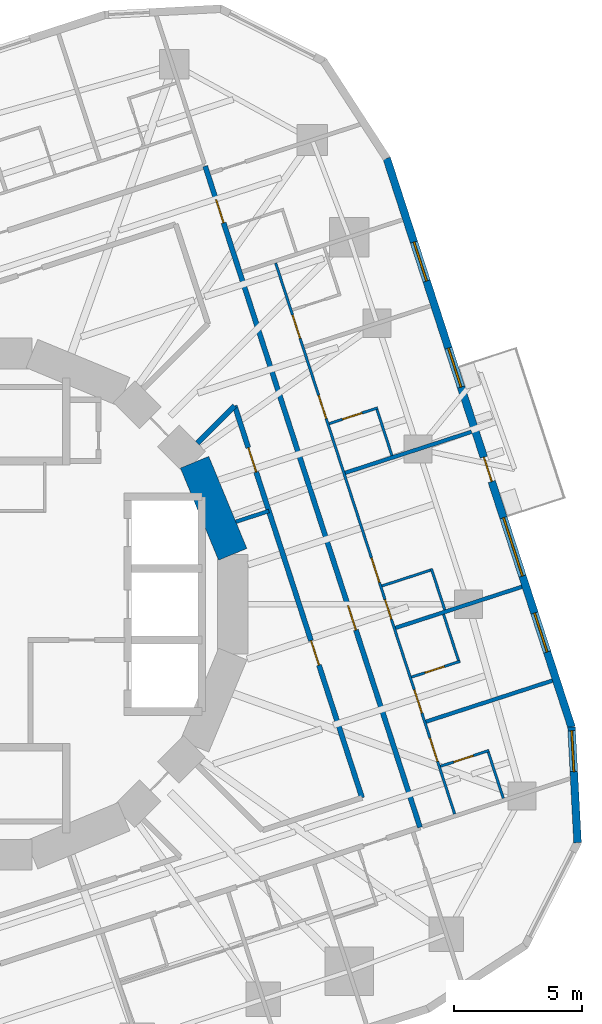
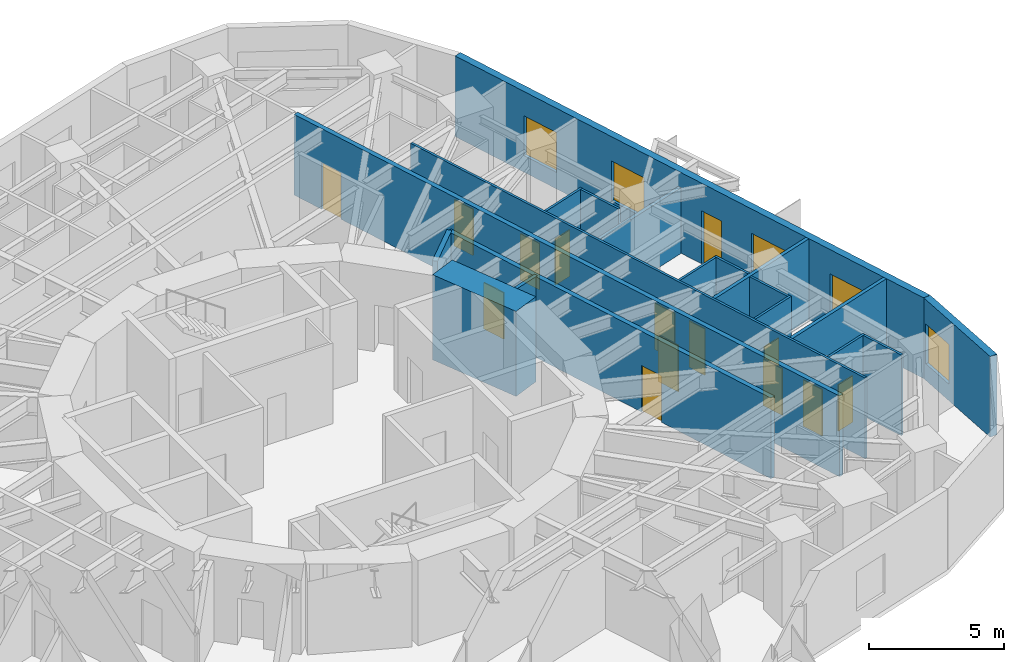
# One storey, part 8 of 13: 19 walls, 14 doors, 5 windows, 19 openings.
"""IFC4 building model written with IfcOpenShell, lengths in metres."""

from ifc_helpers import new_model, si_unit, direction, frame, frame_2d, origin, place, context, subcontext, project, spatial, rectangle, extrude, material, layer, layer_set, type_object, element, fill, save


model = new_model("IFC4")

# Units and contexts
model_context = context("Model", 3, precision=1e-05, world=origin(), true_north=direction((0.0, 1.0)))
body_context = subcontext(model_context, "Body", "Model", "MODEL_VIEW")
ifc_project = project(units=[si_unit("LENGTHUNIT", "METRE"), si_unit("AREAUNIT", "SQUARE_METRE"), si_unit("VOLUMEUNIT", "CUBIC_METRE"), si_unit("PLANEANGLEUNIT", "RADIAN"), si_unit("MASSUNIT", "GRAM", prefix="KILO")], contexts=[model_context])

# Site, building, storey
site_placement = place(None, origin())
site = spatial("IfcSite", under=ifc_project, at=site_placement, CompositionType="ELEMENT")
building_placement = place(site_placement, origin())
building = spatial("IfcBuilding", under=site, at=building_placement, Name="Nakasero Lantern House", CompositionType="ELEMENT")
storey_placement = place(building_placement, frame((0.0, 0.0, 164.89990234375)))
storey = spatial("IfcBuildingStorey", under=building, at=storey_placement, Name="L40", CompositionType="ELEMENT", Elevation=164.89990234375)

# Wall, openings, doors
ifc_material_1 = material(Name="Blockwork", Category="masonry")
ifc_layer_1 = layer(ifc_material_1, 0.10009765625)
ifc_layer_set_1 = layer_set([ifc_layer_1], Name="Cluster hall wall 100")
wall_type_1 = type_object("IfcWallType", Name="Cluster hall wall 100", PredefinedType="PARTITIONING", material=ifc_layer_set_1)
wall_1_placement = place(storey_placement, frame((18.492919921875, -8.21240234375, 0.0), z_axis=(0.0, 0.0, 1.0), x_axis=(-0.309014729931, 0.951057252055, 0.0)))
wall_1 = element("IfcWall", 1, at=wall_1_placement, inside=storey, type_object=wall_type_1, Name="Cluster hall wall L40 HW0-0", PredefinedType="PARTITIONING", context=body_context, shape_type="SweptSolid", body=[
    extrude(rectangle(XDim=22.67236328125, YDim=0.10009765625, at=frame_2d((11.336181640625, 0.0))), origin(), (0.0, 0.0, 1.0), 3.650146484375),
])
opening_1_placement = place(wall_1_placement, frame((9.532958984375, 0.0, 0.0)))
opening_1 = element("IfcOpeningElement", 2, at=opening_1_placement, cuts=wall_1, Name="Opening D03", PredefinedType="OPENING", context=body_context, shape_type="SweptSolid", body=[
    extrude(rectangle(XDim=1.0, YDim=2.10009765625, at=frame_2d((0.5, 1.050048828125))), frame((0.0, 0.070068359375, 0.0), z_axis=(0.0, -1.0, 0.0), x_axis=(1.0, 0.0, 0.0)), (0.0, 0.0, 1.0), 0.14013671875),
])
opening_2_placement = place(wall_1_placement, frame((8.01904296875, 0.0, 0.0)))
opening_2 = element("IfcOpeningElement", 3, at=opening_2_placement, cuts=wall_1, Name="Opening D02", PredefinedType="OPENING", context=body_context, shape_type="SweptSolid", body=[
    extrude(rectangle(XDim=0.800048828125, YDim=2.10009765625, at=frame_2d((0.39990234375, 1.050048828125))), frame((0.0, 0.070068359375, 0.0), z_axis=(0.0, -1.0, 0.0), x_axis=(1.0, 0.0, 0.0)), (0.0, 0.0, 1.0), 0.14013671875),
])
opening_3_placement = place(wall_1_placement, frame((2.175048828125, 0.0, 0.0)))
opening_3 = element("IfcOpeningElement", 4, at=opening_3_placement, cuts=wall_1, Name="Opening D01", PredefinedType="OPENING", context=body_context, shape_type="SweptSolid", body=[
    extrude(rectangle(XDim=0.949951171875, YDim=2.10009765625, at=frame_2d((0.47509765625, 1.050048828125))), frame((0.0, 0.070068359375, 0.0), z_axis=(0.0, -1.0, 0.0), x_axis=(1.0, 0.0, 0.0)), (0.0, 0.0, 1.0), 0.14013671875),
])
opening_4_placement = place(wall_1_placement, frame((4.159423828125, 0.0, 0.0)))
opening_4 = element("IfcOpeningElement", 5, at=opening_4_placement, cuts=wall_1, Name="Opening D01", PredefinedType="OPENING", context=body_context, shape_type="SweptSolid", body=[
    extrude(rectangle(XDim=0.949951171875, YDim=2.10009765625, at=frame_2d((0.47509765625, 1.050048828125))), frame((0.0, 0.070068359375, 0.0), z_axis=(0.0, -1.0, 0.0), x_axis=(1.0, 0.0, 0.0)), (0.0, 0.0, 1.0), 0.14013671875),
])
opening_5_placement = place(wall_1_placement, frame((16.27197265625, 0.0, 0.0)))
opening_5 = element("IfcOpeningElement", 6, at=opening_5_placement, cuts=wall_1, Name="Opening D01", PredefinedType="OPENING", context=body_context, shape_type="SweptSolid", body=[
    extrude(rectangle(XDim=0.949951171875, YDim=2.10009765625, at=frame_2d((0.47509765625, 1.050048828125))), frame((0.0, 0.070068359375, 0.0), z_axis=(0.0, -1.0, 0.0), x_axis=(1.0, 0.0, 0.0)), (0.0, 0.0, 1.0), 0.14013671875),
])
opening_6_placement = place(wall_1_placement, frame((19.578125, 0.0, 0.0)))
opening_6 = element("IfcOpeningElement", 7, at=opening_6_placement, cuts=wall_1, Name="Opening D01", PredefinedType="OPENING", context=body_context, shape_type="SweptSolid", body=[
    extrude(rectangle(XDim=0.949951171875, YDim=2.10009765625, at=frame_2d((0.47509765625, 1.050048828125))), frame((0.0, 0.070068359375, 0.0), z_axis=(0.0, -1.0, 0.0), x_axis=(1.0, 0.0, 0.0)), (0.0, 0.0, 1.0), 0.14013671875),
])
ifc_material_2 = material(Name="Timber C24", Category="wood")
door_type_1 = type_object("IfcDoorType", Name="Bedroom door FD30S 950", OperationType="SINGLE_SWING_LEFT", PredefinedType="DOOR", material=ifc_material_2)
door_1_placement = place(opening_3_placement, origin())
door_1 = element("IfcDoor", 8, at=door_1_placement, inside=storey, type_object=door_type_1, Name="Door L40 D0-00", OperationType="SINGLE_SWING_LEFT", OverallHeight=2.10009765625, OverallWidth=0.949951171875, PredefinedType="DOOR", context=body_context, shape_type="SweptSolid", body=[
    extrude(rectangle(XDim=0.949951171875, YDim=2.10009765625, at=frame_2d((0.47509765625, 1.050048828125))), frame((0.0, 0.02490234375, 0.0), z_axis=(0.0, -1.0, 0.0), x_axis=(1.0, 0.0, 0.0)), (0.0, 0.0, 1.0), 0.050048828125),
])
fill(opening_3, door_1)
door_2_placement = place(opening_4_placement, origin())
door_2 = element("IfcDoor", 9, at=door_2_placement, inside=storey, type_object=door_type_1, Name="Door L40 D0-01", OperationType="SINGLE_SWING_LEFT", OverallHeight=2.10009765625, OverallWidth=0.949951171875, PredefinedType="DOOR", context=body_context, shape_type="SweptSolid", body=[
    extrude(rectangle(XDim=0.949951171875, YDim=2.10009765625, at=frame_2d((0.47509765625, 1.050048828125))), frame((0.0, 0.02490234375, 0.0), z_axis=(0.0, -1.0, 0.0), x_axis=(1.0, 0.0, 0.0)), (0.0, 0.0, 1.0), 0.050048828125),
])
fill(opening_4, door_2)
door_3_placement = place(opening_5_placement, origin())
door_3 = element("IfcDoor", 10, at=door_3_placement, inside=storey, type_object=door_type_1, Name="Door L40 D0-04", OperationType="SINGLE_SWING_RIGHT", OverallHeight=2.10009765625, OverallWidth=0.949951171875, PredefinedType="DOOR", context=body_context, shape_type="SweptSolid", body=[
    extrude(rectangle(XDim=0.949951171875, YDim=2.10009765625, at=frame_2d((0.47509765625, 1.050048828125))), frame((0.0, 0.02490234375, 0.0), z_axis=(0.0, -1.0, 0.0), x_axis=(1.0, 0.0, 0.0)), (0.0, 0.0, 1.0), 0.050048828125),
])
fill(opening_5, door_3)
door_4_placement = place(opening_6_placement, origin())
door_4 = element("IfcDoor", 11, at=door_4_placement, inside=storey, type_object=door_type_1, Name="Door L40 D0-05", OperationType="SINGLE_SWING_RIGHT", OverallHeight=2.10009765625, OverallWidth=0.949951171875, PredefinedType="DOOR", context=body_context, shape_type="SweptSolid", body=[
    extrude(rectangle(XDim=0.949951171875, YDim=2.10009765625, at=frame_2d((0.47509765625, 1.050048828125))), frame((0.0, 0.02490234375, 0.0), z_axis=(0.0, -1.0, 0.0), x_axis=(1.0, 0.0, 0.0)), (0.0, 0.0, 1.0), 0.050048828125),
])
fill(opening_6, door_4)
ifc_material_3 = material(Name="Timber C24", Category="wood")
door_type_2 = type_object("IfcDoorType", Name="En-suite door 800", OperationType="SINGLE_SWING_RIGHT", PredefinedType="DOOR", material=ifc_material_3)
door_5_placement = place(opening_2_placement, origin())
door_5 = element("IfcDoor", 12, at=door_5_placement, inside=storey, type_object=door_type_2, Name="Door L40 DSH0-0", OperationType="SINGLE_SWING_LEFT", OverallHeight=2.10009765625, OverallWidth=0.800048828125, PredefinedType="DOOR", context=body_context, shape_type="SweptSolid", body=[
    extrude(rectangle(XDim=0.800048828125, YDim=2.10009765625, at=frame_2d((0.39990234375, 1.050048828125))), frame((0.0, 0.02490234375, 0.0), z_axis=(0.0, -1.0, 0.0), x_axis=(1.0, 0.0, 0.0)), (0.0, 0.0, 1.0), 0.050048828125),
])
fill(opening_2, door_5)
ifc_material_4 = material(Name="Timber C24", Category="wood")
door_type_3 = type_object("IfcDoorType", Name="Lounge door FD30S 1000", OperationType="SINGLE_SWING_LEFT", PredefinedType="DOOR", material=ifc_material_4)
door_6_placement = place(opening_1_placement, origin())
door_6 = element("IfcDoor", 13, at=door_6_placement, inside=storey, type_object=door_type_3, Name="Door L40 DH0-0", OperationType="SINGLE_SWING_LEFT", OverallHeight=2.10009765625, OverallWidth=1.0, PredefinedType="DOOR", context=body_context, shape_type="SweptSolid", body=[
    extrude(rectangle(XDim=1.0, YDim=2.10009765625, at=frame_2d((0.5, 1.050048828125))), frame((0.0, 0.02490234375, 0.0), z_axis=(0.0, -1.0, 0.0), x_axis=(1.0, 0.0, 0.0)), (0.0, 0.0, 1.0), 0.050048828125),
])
fill(opening_1, door_6)

# Wall
ifc_material_5 = material(Name="Concrete C50/60", Category="concrete")
ifc_layer_2 = layer(ifc_material_5, 1.199951171875)
ifc_layer_set_2 = layer_set([ifc_layer_2], Name="Core wall 1200")
wall_type_2 = type_object("IfcWallType", Name="Core wall 1200", PredefinedType="SHEAR", material=ifc_layer_set_2)
wall_2_placement = place(storey_placement, frame((9.807861328125, 1.950927734375, 0.0), z_axis=(0.0, 0.0, 1.0), x_axis=(-0.382690736062, 0.923876507187, 0.0)))
element("IfcWall", 14, at=wall_2_placement, inside=storey, type_object=wall_type_2, Name="Core wall L40 facet 1", PredefinedType="SHEAR", context=body_context, shape_type="SweptSolid", body=[
    extrude(rectangle(XDim=3.90185546875, YDim=1.199951171875, at=frame_2d((1.950927734375, 0.0))), origin(), (0.0, 0.0, 1.0), 3.85009765625),
])

# Wall, openings, doors
ifc_material_6 = material(Name="Blockwork", Category="masonry")
ifc_layer_3 = layer(ifc_material_6, 0.199951171875)
ifc_layer_set_3 = layer_set([ifc_layer_3], Name="Corridor wall 200")
wall_type_3 = type_object("IfcWallType", Name="Corridor wall 200", PredefinedType="PARTITIONING", material=ifc_layer_set_3)
wall_3_placement = place(storey_placement, frame((17.136962890625, -8.731689453125, 0.0), z_axis=(0.0, 0.0, 1.0), x_axis=(-0.309018283835, 0.951056097323, 0.0)))
wall_3 = element("IfcWall", 15, at=wall_3_placement, inside=storey, type_object=wall_type_3, Name="Corridor wall L40 CW0", PredefinedType="PARTITIONING", context=body_context, shape_type="SweptSolid", body=[
    extrude(rectangle(XDim=27.199951171875, YDim=0.199951171875, at=frame_2d((13.60009765625, 0.0))), origin(), (0.0, 0.0, 1.0), 3.650146484375),
])
opening_7_placement = place(wall_3_placement, frame((8.118896484375, 0.0, 0.0)))
opening_7 = element("IfcOpeningElement", 16, at=opening_7_placement, cuts=wall_3, Name="Opening D14", PredefinedType="OPENING", context=body_context, shape_type="SweptSolid", body=[
    extrude(rectangle(XDim=1.0, YDim=2.10009765625, at=frame_2d((0.5, 1.050048828125))), frame((0.0, 0.119873046875, 0.0), z_axis=(0.0, -1.0, 0.0), x_axis=(1.0, 0.0, 0.0)), (0.0, 0.0, 1.0), 0.239990234375),
])
opening_8_placement = place(wall_3_placement, frame((24.872314453125, 0.0, 0.0)))
opening_8 = element("IfcOpeningElement", 17, at=opening_8_placement, cuts=wall_3, Name="Opening D01", PredefinedType="OPENING", context=body_context, shape_type="SweptSolid", body=[
    extrude(rectangle(XDim=0.949951171875, YDim=2.10009765625, at=frame_2d((0.47509765625, 1.050048828125))), frame((0.0, 0.119873046875, 0.0), z_axis=(0.0, -1.0, 0.0), x_axis=(1.0, 0.0, 0.0)), (0.0, 0.0, 1.0), 0.239990234375),
])
door_7_placement = place(opening_8_placement, origin())
door_7 = element("IfcDoor", 18, at=door_7_placement, inside=storey, type_object=door_type_1, Name="Door L40 D0-06", OperationType="SINGLE_SWING_RIGHT", OverallHeight=2.10009765625, OverallWidth=0.949951171875, PredefinedType="DOOR", context=body_context, shape_type="SweptSolid", body=[
    extrude(rectangle(XDim=0.949951171875, YDim=2.10009765625, at=frame_2d((0.47509765625, 1.050048828125))), frame((0.0, 0.02490234375, 0.0), z_axis=(0.0, -1.0, 0.0), x_axis=(1.0, 0.0, 0.0)), (0.0, 0.0, 1.0), 0.050048828125),
])
fill(opening_8, door_7)
ifc_material_7 = material(Name="Timber C24", Category="wood")
door_type_4 = type_object("IfcDoorType", Name="Cluster entrance door FD30S 1000", OperationType="SINGLE_SWING_LEFT", PredefinedType="DOOR", material=ifc_material_7)
door_8_placement = place(opening_7_placement, origin())
door_8 = element("IfcDoor", 19, at=door_8_placement, inside=storey, type_object=door_type_4, Name="Door L40 DF0-0", OperationType="SINGLE_SWING_LEFT", OverallHeight=2.10009765625, OverallWidth=1.0, PredefinedType="DOOR", context=body_context, shape_type="SweptSolid", body=[
    extrude(rectangle(XDim=1.0, YDim=2.10009765625, at=frame_2d((0.5, 1.050048828125))), frame((0.0, 0.02490234375, 0.0), z_axis=(0.0, -1.0, 0.0), x_axis=(1.0, 0.0, 0.0)), (0.0, 0.0, 1.0), 0.050048828125),
])
fill(opening_7, door_8)

wall_4_placement = place(storey_placement, frame((14.868896484375, -7.576171875, 0.0), z_axis=(0.0, 0.0, 1.0), x_axis=(-0.309016591385, 0.951056647235, 0.0)))
wall_4 = element("IfcWall", 20, at=wall_4_placement, inside=storey, type_object=wall_type_3, Name="Corridor wall L40 IW0-0", PredefinedType="PARTITIONING", context=body_context, shape_type="SweptSolid", body=[
    extrude(rectangle(XDim=16.12890625, YDim=0.199951171875, at=frame_2d((8.064453125, 0.0))), origin(), (0.0, 0.0, 1.0), 3.650146484375),
])
opening_9_placement = place(wall_4_placement, frame((5.46240234375, 0.0, 0.0)))
opening_9 = element("IfcOpeningElement", 21, at=opening_9_placement, cuts=wall_4, Name="Opening D07", PredefinedType="OPENING", context=body_context, shape_type="SweptSolid", body=[
    extrude(rectangle(XDim=1.0, YDim=2.10009765625, at=frame_2d((0.5, 1.050048828125))), frame((0.0, 0.119873046875, 0.0), z_axis=(0.0, -1.0, 0.0), x_axis=(1.0, 0.0, 0.0)), (0.0, 0.0, 1.0), 0.239990234375),
])
opening_10_placement = place(wall_4_placement, frame((13.40185546875, 0.0, 0.0)))
opening_10 = element("IfcOpeningElement", 22, at=opening_10_placement, cuts=wall_4, Name="Opening D07", PredefinedType="OPENING", context=body_context, shape_type="SweptSolid", body=[
    extrude(rectangle(XDim=1.0, YDim=2.10009765625, at=frame_2d((0.5, 1.050048828125))), frame((0.0, 0.119873046875, 0.0), z_axis=(0.0, -1.0, 0.0), x_axis=(1.0, 0.0, 0.0)), (0.0, 0.0, 1.0), 0.239990234375),
])
ifc_material_8 = material(Name="Timber C24", Category="wood")
door_type_5 = type_object("IfcDoorType", Name="Room door FD30S 1000", OperationType="SINGLE_SWING_LEFT", PredefinedType="DOOR", material=ifc_material_8)
door_9_placement = place(opening_9_placement, origin())
door_9 = element("IfcDoor", 23, at=door_9_placement, inside=storey, type_object=door_type_5, Name="Door L40 DI4", OperationType="SINGLE_SWING_LEFT", OverallHeight=2.10009765625, OverallWidth=1.0, PredefinedType="DOOR", context=body_context, shape_type="SweptSolid", body=[
    extrude(rectangle(XDim=1.0, YDim=2.10009765625, at=frame_2d((0.5, 1.050048828125))), frame((0.0, 0.02490234375, 0.0), z_axis=(0.0, -1.0, 0.0), x_axis=(1.0, 0.0, 0.0)), (0.0, 0.0, 1.0), 0.050048828125),
])
fill(opening_9, door_9)
door_10_placement = place(opening_10_placement, origin())
door_10 = element("IfcDoor", 24, at=door_10_placement, inside=storey, type_object=door_type_5, Name="Door L40 DI5", OperationType="SINGLE_SWING_RIGHT", OverallHeight=2.10009765625, OverallWidth=1.0, PredefinedType="DOOR", context=body_context, shape_type="SweptSolid", body=[
    extrude(rectangle(XDim=1.0, YDim=2.10009765625, at=frame_2d((0.5, 1.050048828125))), frame((0.0, 0.02490234375, 0.0), z_axis=(0.0, -1.0, 0.0), x_axis=(1.0, 0.0, 0.0)), (0.0, 0.0, 1.0), 0.050048828125),
])
fill(opening_10, door_10)

# Walls
wall_5_placement = place(storey_placement, frame((8.420166015625, 6.298828125, 0.0), z_axis=(0.0, 0.0, 1.0), x_axis=(0.707106781187, 0.707106781187, 0.0)))
element("IfcWall", 25, at=wall_5_placement, inside=storey, type_object=wall_type_3, Name="Corridor wall L40 PS02b", PredefinedType="PARTITIONING", context=body_context, shape_type="SweptSolid", body=[
    extrude(rectangle(XDim=2.0712890625, YDim=0.199951171875, at=frame_2d((1.03564453125, 0.0))), origin(), (0.0, 0.0, 1.0), 3.650146484375),
])
ifc_material_9 = material(Name="Blockwork", Category="masonry")
ifc_layer_4 = layer(ifc_material_9, 0.10009765625)
ifc_layer_set_4 = layer_set([ifc_layer_4], Name="En-suite wall 100")
wall_type_4 = type_object("IfcWallType", Name="En-suite wall 100", PredefinedType="PARTITIONING", material=ifc_layer_set_4)
wall_6_placement = place(storey_placement, frame((15.645263671875, 0.713623046875, 0.0), z_axis=(0.0, 0.0, 1.0), x_axis=(0.951062257173, 0.308999325213, 0.0)))
element("IfcWall", 26, at=wall_6_placement, inside=storey, type_object=wall_type_4, Name="En-suite wall L40 SS0-0", PredefinedType="PARTITIONING", context=body_context, shape_type="SweptSolid", body=[
    extrude(rectangle(XDim=2.10009765625, YDim=0.10009765625, at=frame_2d((1.050048828125, 0.0))), origin(), (0.0, 0.0, 1.0), 3.650146484375),
])
wall_7_placement = place(storey_placement, frame((18.104736328125, -0.22216796875, 0.0), z_axis=(0.0, 0.0, 1.0), x_axis=(-0.309066587596, 0.951040401051, 0.0)))
element("IfcWall", 27, at=wall_7_placement, inside=storey, type_object=wall_type_4, Name="En-suite wall L40 SE0-0", PredefinedType="PARTITIONING", context=body_context, shape_type="SweptSolid", body=[
    extrude(rectangle(XDim=1.699951171875, YDim=0.10009765625, at=frame_2d((0.85009765625, 0.0))), origin(), (0.0, 0.0, 1.0), 3.650146484375),
])

# Wall, opening, door
wall_8_placement = place(storey_placement, frame((17.937744140625, -6.34228515625, 0.0), z_axis=(0.0, 0.0, 1.0), x_axis=(0.951072636193, 0.308967378027, 0.0)))
wall_8 = element("IfcWall", 28, at=wall_8_placement, inside=storey, type_object=wall_type_4, Name="En-suite wall L40 ES0-00", PredefinedType="PARTITIONING", context=body_context, shape_type="SweptSolid", body=[
    extrude(rectangle(XDim=2.0, YDim=0.10009765625, at=frame_2d((1.0, 0.0))), origin(), (0.0, 0.0, 1.0), 3.650146484375),
])
opening_11_placement = place(wall_8_placement, frame((0.550048828125, 0.0, 0.0)))
opening_11 = element("IfcOpeningElement", 29, at=opening_11_placement, cuts=wall_8, Name="Opening D02", PredefinedType="OPENING", context=body_context, shape_type="SweptSolid", body=[
    extrude(rectangle(XDim=0.800048828125, YDim=2.10009765625, at=frame_2d((0.39990234375, 1.050048828125))), frame((0.0, 0.070068359375, 0.0), z_axis=(0.0, -1.0, 0.0), x_axis=(1.0, 0.0, 0.0)), (0.0, 0.0, 1.0), 0.14013671875),
])
door_11_placement = place(opening_11_placement, origin())
door_11 = element("IfcDoor", 30, at=door_11_placement, inside=storey, type_object=door_type_2, Name="Door L40 DE0-00", OperationType="SINGLE_SWING_LEFT", OverallHeight=2.10009765625, OverallWidth=0.800048828125, PredefinedType="DOOR", context=body_context, shape_type="SweptSolid", body=[
    extrude(rectangle(XDim=0.800048828125, YDim=2.10009765625, at=frame_2d((0.39990234375, 1.050048828125))), frame((0.0, 0.02490234375, 0.0), z_axis=(0.0, -1.0, 0.0), x_axis=(1.0, 0.0, 0.0)), (0.0, 0.0, 1.0), 0.050048828125),
])
fill(opening_11, door_11)

# Wall
wall_9_placement = place(storey_placement, frame((20.39501953125, -7.59423828125, 0.0), z_axis=(0.0, 0.0, 1.0), x_axis=(-0.309048298632, 0.951046344356, 0.0)))
element("IfcWall", 31, at=wall_9_placement, inside=storey, type_object=wall_type_4, Name="En-suite wall L40 EE0-00", PredefinedType="PARTITIONING", context=body_context, shape_type="SweptSolid", body=[
    extrude(rectangle(XDim=1.89990234375, YDim=0.10009765625, at=frame_2d((0.949951171875, 0.0))), origin(), (0.0, 0.0, 1.0), 3.650146484375),
])

# Wall, opening, door
wall_10_placement = place(storey_placement, frame((16.803955078125, -2.85302734375, 0.0), z_axis=(0.0, 0.0, 1.0), x_axis=(0.951036759863, 0.309077791808, 0.0)))
wall_10 = element("IfcWall", 32, at=wall_10_placement, inside=storey, type_object=wall_type_4, Name="En-suite wall L40 ES0-01", PredefinedType="PARTITIONING", context=body_context, shape_type="SweptSolid", body=[
    extrude(rectangle(XDim=2.0, YDim=0.10009765625, at=frame_2d((1.0, 0.0))), origin(), (0.0, 0.0, 1.0), 3.650146484375),
])
opening_12_placement = place(wall_10_placement, frame((0.550048828125, 0.0, 0.0)))
opening_12 = element("IfcOpeningElement", 33, at=opening_12_placement, cuts=wall_10, Name="Opening D02", PredefinedType="OPENING", context=body_context, shape_type="SweptSolid", body=[
    extrude(rectangle(XDim=0.800048828125, YDim=2.10009765625, at=frame_2d((0.39990234375, 1.050048828125))), frame((0.0, 0.070068359375, 0.0), z_axis=(0.0, -1.0, 0.0), x_axis=(1.0, 0.0, 0.0)), (0.0, 0.0, 1.0), 0.14013671875),
])
door_12_placement = place(opening_12_placement, origin())
door_12 = element("IfcDoor", 34, at=door_12_placement, inside=storey, type_object=door_type_2, Name="Door L40 DE0-01", OperationType="SINGLE_SWING_LEFT", OverallHeight=2.10009765625, OverallWidth=0.800048828125, PredefinedType="DOOR", context=body_context, shape_type="SweptSolid", body=[
    extrude(rectangle(XDim=0.800048828125, YDim=2.10009765625, at=frame_2d((0.39990234375, 1.050048828125))), frame((0.0, 0.02490234375, 0.0), z_axis=(0.0, -1.0, 0.0), x_axis=(1.0, 0.0, 0.0)), (0.0, 0.0, 1.0), 0.050048828125),
])
fill(opening_12, door_12)

# Wall
wall_11_placement = place(storey_placement, frame((18.64306640625, -2.202880859375, 0.0), z_axis=(0.0, 0.0, 1.0), x_axis=(-0.308894308917, 0.951096370469, 0.0)))
element("IfcWall", 35, at=wall_11_placement, inside=storey, type_object=wall_type_4, Name="En-suite wall L40 EE0-01", PredefinedType="PARTITIONING", context=body_context, shape_type="SweptSolid", body=[
    extrude(rectangle(XDim=1.900146484375, YDim=0.10009765625, at=frame_2d((0.9501953125, 0.0))), origin(), (0.0, 0.0, 1.0), 3.650146484375),
])

# Wall, opening, door
wall_12_placement = place(storey_placement, frame((13.58154296875, 7.064697265625, 0.0), z_axis=(0.0, 0.0, 1.0), x_axis=(0.951036759863, 0.309077791808, 0.0)))
wall_12 = element("IfcWall", 36, at=wall_12_placement, inside=storey, type_object=wall_type_4, Name="En-suite wall L40 ES0-04", PredefinedType="PARTITIONING", context=body_context, shape_type="SweptSolid", body=[
    extrude(rectangle(XDim=2.0, YDim=0.10009765625, at=frame_2d((1.0, 0.0))), origin(), (0.0, 0.0, 1.0), 3.650146484375),
])
opening_13_placement = place(wall_12_placement, frame((0.550048828125, 0.0, 0.0)))
opening_13 = element("IfcOpeningElement", 37, at=opening_13_placement, cuts=wall_12, Name="Opening D02", PredefinedType="OPENING", context=body_context, shape_type="SweptSolid", body=[
    extrude(rectangle(XDim=0.800048828125, YDim=2.10009765625, at=frame_2d((0.39990234375, 1.050048828125))), frame((0.0, 0.070068359375, 0.0), z_axis=(0.0, -1.0, 0.0), x_axis=(1.0, 0.0, 0.0)), (0.0, 0.0, 1.0), 0.14013671875),
])
door_13_placement = place(opening_13_placement, origin())
door_13 = element("IfcDoor", 38, at=door_13_placement, inside=storey, type_object=door_type_2, Name="Door L40 DE0-04", OperationType="SINGLE_SWING_LEFT", OverallHeight=2.10009765625, OverallWidth=0.800048828125, PredefinedType="DOOR", context=body_context, shape_type="SweptSolid", body=[
    extrude(rectangle(XDim=0.800048828125, YDim=2.10009765625, at=frame_2d((0.39990234375, 1.050048828125))), frame((0.0, 0.02490234375, 0.0), z_axis=(0.0, -1.0, 0.0), x_axis=(1.0, 0.0, 0.0)), (0.0, 0.0, 1.0), 0.050048828125),
])
fill(opening_13, door_13)

# Wall
wall_13_placement = place(storey_placement, frame((16.038818359375, 5.812744140625, 0.0), z_axis=(0.0, 0.0, 1.0), x_axis=(-0.309010533671, 0.951058615481, 0.0)))
element("IfcWall", 39, at=wall_13_placement, inside=storey, type_object=wall_type_4, Name="En-suite wall L40 EE0-04", PredefinedType="PARTITIONING", context=body_context, shape_type="SweptSolid", body=[
    extrude(rectangle(XDim=1.900146484375, YDim=0.10009765625, at=frame_2d((0.9501953125, 0.0))), origin(), (0.0, 0.0, 1.0), 3.650146484375),
])

# Wall, openings, door, windows
ifc_material_10 = material(Name="Aluminium rainscreen on blockwork", Category="masonry")
ifc_layer_5 = layer(ifc_material_10, 0.300048828125)
ifc_layer_set_5 = layer_set([ifc_layer_5], Name="Facade wall 300")
wall_type_5 = type_object("IfcWallType", Name="Facade wall 300", PredefinedType="SOLIDWALL", material=ifc_layer_set_5)
wall_14_placement = place(storey_placement, frame((23.064697265625, -4.807861328125, 0.0), z_axis=(0.0, 0.0, 1.0), x_axis=(-0.30902591324, 0.951053618334, 0.0)))
wall_14 = element("IfcWall", 40, at=wall_14_placement, inside=storey, type_object=wall_type_5, Name="Facade wall L40 FW0S", PredefinedType="SOLIDWALL", context=body_context, shape_type="SweptSolid", body=[
    extrude(rectangle(XDim=23.39990234375, YDim=0.300048828125, at=frame_2d((11.699951171875, 0.0))), origin(), (0.0, 0.0, 1.0), 3.650146484375),
])
opening_14_placement = place(wall_14_placement, frame((3.089111328125, 0.0, 0.75)))
opening_14 = element("IfcOpeningElement", 41, at=opening_14_placement, cuts=wall_14, Name="Opening W01", PredefinedType="OPENING", context=body_context, shape_type="SweptSolid", body=[
    extrude(rectangle(XDim=1.60009765625, YDim=1.800048828125, at=frame_2d((0.800048828125, 0.89990234375))), frame((0.0, 0.169921875, 0.0), z_axis=(0.0, -1.0, 0.0), x_axis=(1.0, 0.0, 0.0)), (0.0, 0.0, 1.0), 0.340087890625),
])
opening_15_placement = place(wall_14_placement, frame((13.987548828125, 0.0, 0.75)))
opening_15 = element("IfcOpeningElement", 42, at=opening_15_placement, cuts=wall_14, Name="Opening W01", PredefinedType="OPENING", context=body_context, shape_type="SweptSolid", body=[
    extrude(rectangle(XDim=1.60009765625, YDim=1.800048828125, at=frame_2d((0.800048828125, 0.89990234375))), frame((0.0, 0.169921875, 0.0), z_axis=(0.0, -1.0, 0.0), x_axis=(1.0, 0.0, 0.0)), (0.0, 0.0, 1.0), 0.340087890625),
])
opening_16_placement = place(wall_14_placement, frame((18.350341796875, 0.0, 0.75)))
opening_16 = element("IfcOpeningElement", 43, at=opening_16_placement, cuts=wall_14, Name="Opening W01", PredefinedType="OPENING", context=body_context, shape_type="SweptSolid", body=[
    extrude(rectangle(XDim=1.60009765625, YDim=1.800048828125, at=frame_2d((0.800048828125, 0.89990234375))), frame((0.0, 0.169921875, 0.0), z_axis=(0.0, -1.0, 0.0), x_axis=(1.0, 0.0, 0.0)), (0.0, 0.0, 1.0), 0.340087890625),
])
opening_17_placement = place(wall_14_placement, frame((6.21337890625, 0.0, 0.75)))
opening_17 = element("IfcOpeningElement", 44, at=opening_17_placement, cuts=wall_14, Name="Opening W03", PredefinedType="OPENING", context=body_context, shape_type="SweptSolid", body=[
    extrude(rectangle(XDim=2.39990234375, YDim=1.800048828125, at=frame_2d((1.199951171875, 0.89990234375))), frame((0.0, 0.169921875, 0.0), z_axis=(0.0, -1.0, 0.0), x_axis=(1.0, 0.0, 0.0)), (0.0, 0.0, 1.0), 0.340087890625),
])
opening_18_placement = place(wall_14_placement, frame((10.1025390625, 0.0, 0.0)))
opening_18 = element("IfcOpeningElement", 45, at=opening_18_placement, cuts=wall_14, Name="Opening D04", PredefinedType="OPENING", context=body_context, shape_type="SweptSolid", body=[
    extrude(rectangle(XDim=1.0, YDim=2.39990234375, at=frame_2d((0.5, 1.199951171875))), frame((0.0, 0.169921875, 0.0), z_axis=(0.0, -1.0, 0.0), x_axis=(1.0, 0.0, 0.0)), (0.0, 0.0, 1.0), 0.340087890625),
])
ifc_material_11 = material(Name="Aluminium 6063-T6 and glass", Category="aluminium")
door_type_6 = type_object("IfcDoorType", Name="Balcony door 1000x2400", OperationType="SINGLE_SWING_RIGHT", PredefinedType="DOOR", material=ifc_material_11)
door_14_placement = place(opening_18_placement, origin())
door_14 = element("IfcDoor", 46, at=door_14_placement, inside=storey, type_object=door_type_6, Name="Balcony door L40 DB0", OperationType="SINGLE_SWING_RIGHT", OverallHeight=2.39990234375, OverallWidth=1.0, PredefinedType="DOOR", context=body_context, shape_type="SweptSolid", body=[
    extrude(rectangle(XDim=1.0, YDim=2.39990234375, at=frame_2d((0.5, 1.199951171875))), frame((0.0, 0.02490234375, 0.0), z_axis=(0.0, -1.0, 0.0), x_axis=(1.0, 0.0, 0.0)), (0.0, 0.0, 1.0), 0.050048828125),
])
fill(opening_18, door_14)
ifc_material_12 = material(Name="Aluminium 6063-T6 and glass", Category="aluminium")
window_type_1 = type_object("IfcWindowType", Name="Bedroom window 1600x1800", PartitioningType="SINGLE_PANEL", PredefinedType="WINDOW", material=ifc_material_12)
window_1_placement = place(opening_14_placement, origin())
window_1 = element("IfcWindow", 47, at=window_1_placement, inside=storey, type_object=window_type_1, Name="Window L40 WN0-01", OverallHeight=1.800048828125, OverallWidth=1.60009765625, PartitioningType="SINGLE_PANEL", PredefinedType="WINDOW", context=body_context, shape_type="SweptSolid", body=[
    extrude(rectangle(XDim=1.60009765625, YDim=1.800048828125, at=frame_2d((0.800048828125, 0.89990234375))), frame((0.0, 0.030029296875, 0.0), z_axis=(0.0, -1.0, 0.0), x_axis=(1.0, 0.0, 0.0)), (0.0, 0.0, 1.0), 0.06005859375),
])
fill(opening_14, window_1)
window_2_placement = place(opening_15_placement, origin())
window_2 = element("IfcWindow", 48, at=window_2_placement, inside=storey, type_object=window_type_1, Name="Window L40 WN0-04", OverallHeight=1.800048828125, OverallWidth=1.60009765625, PartitioningType="SINGLE_PANEL", PredefinedType="WINDOW", context=body_context, shape_type="SweptSolid", body=[
    extrude(rectangle(XDim=1.60009765625, YDim=1.800048828125, at=frame_2d((0.800048828125, 0.89990234375))), frame((0.0, 0.030029296875, 0.0), z_axis=(0.0, -1.0, 0.0), x_axis=(1.0, 0.0, 0.0)), (0.0, 0.0, 1.0), 0.06005859375),
])
fill(opening_15, window_2)
window_3_placement = place(opening_16_placement, origin())
window_3 = element("IfcWindow", 49, at=window_3_placement, inside=storey, type_object=window_type_1, Name="Window L40 WN0-05", OverallHeight=1.800048828125, OverallWidth=1.60009765625, PartitioningType="SINGLE_PANEL", PredefinedType="WINDOW", context=body_context, shape_type="SweptSolid", body=[
    extrude(rectangle(XDim=1.60009765625, YDim=1.800048828125, at=frame_2d((0.800048828125, 0.89990234375))), frame((0.0, 0.030029296875, 0.0), z_axis=(0.0, -1.0, 0.0), x_axis=(1.0, 0.0, 0.0)), (0.0, 0.0, 1.0), 0.06005859375),
])
fill(opening_16, window_3)
ifc_material_13 = material(Name="Aluminium 6063-T6 and glass", Category="aluminium")
window_type_2 = type_object("IfcWindowType", Name="Lounge window 2400x1800", PartitioningType="SINGLE_PANEL", PredefinedType="WINDOW", material=ifc_material_13)
window_4_placement = place(opening_17_placement, origin())
window_4 = element("IfcWindow", 50, at=window_4_placement, inside=storey, type_object=window_type_2, Name="Window L40 WK0", OverallHeight=1.800048828125, OverallWidth=2.39990234375, PartitioningType="SINGLE_PANEL", PredefinedType="WINDOW", context=body_context, shape_type="SweptSolid", body=[
    extrude(rectangle(XDim=2.39990234375, YDim=1.800048828125, at=frame_2d((1.199951171875, 0.89990234375))), frame((0.0, 0.030029296875, 0.0), z_axis=(0.0, -1.0, 0.0), x_axis=(1.0, 0.0, 0.0)), (0.0, 0.0, 1.0), 0.06005859375),
])
fill(opening_17, window_4)

# Wall, opening, window
wall_15_placement = place(storey_placement, frame((23.3017578125, -9.3310546875, 0.0), z_axis=(0.0, 0.0, 1.0), x_axis=(-0.052338164079, 0.998629419044, 0.0)))
wall_15 = element("IfcWall", 51, at=wall_15_placement, inside=storey, type_object=wall_type_5, Name="Facade wall L40 FW3C3", PredefinedType="SOLIDWALL", context=body_context, shape_type="SweptSolid", body=[
    extrude(rectangle(XDim=4.529296875, YDim=0.300048828125, at=frame_2d((2.2646484375, 0.0))), origin(), (0.0, 0.0, 1.0), 3.650146484375),
])
opening_19_placement = place(wall_15_placement, frame((2.784912109375, 0.0, 0.75)))
opening_19 = element("IfcOpeningElement", 52, at=opening_19_placement, cuts=wall_15, Name="Opening W01", PredefinedType="OPENING", context=body_context, shape_type="SweptSolid", body=[
    extrude(rectangle(XDim=1.60009765625, YDim=1.800048828125, at=frame_2d((0.800048828125, 0.89990234375))), frame((0.0, 0.169921875, 0.0), z_axis=(0.0, -1.0, 0.0), x_axis=(1.0, 0.0, 0.0)), (0.0, 0.0, 1.0), 0.340087890625),
])
window_5_placement = place(opening_19_placement, origin())
window_5 = element("IfcWindow", 53, at=window_5_placement, inside=storey, type_object=window_type_1, Name="Window L40 WN0-00", OverallHeight=1.800048828125, OverallWidth=1.60009765625, PartitioningType="SINGLE_PANEL", PredefinedType="WINDOW", context=body_context, shape_type="SweptSolid", body=[
    extrude(rectangle(XDim=1.60009765625, YDim=1.800048828125, at=frame_2d((0.800048828125, 0.89990234375))), frame((0.0, 0.030029296875, 0.0), z_axis=(0.0, -1.0, 0.0), x_axis=(1.0, 0.0, 0.0)), (0.0, 0.0, 1.0), 0.06005859375),
])
fill(opening_19, window_5)

# Walls
ifc_material_14 = material(Name="Blockwork", Category="masonry")
ifc_layer_6 = layer(ifc_material_14, 0.14990234375)
ifc_layer_set_6 = layer_set([ifc_layer_6], Name="Party wall 150")
wall_type_6 = type_object("IfcWallType", Name="Party wall 150", PredefinedType="PARTITIONING", material=ifc_layer_set_6)
for number, where, z_axis, x_axis, name in (
    (54, (17.370849609375, -4.59765625, 0.0), (0.0, 0.0, 1.0), (0.951055112834, 0.309021313752, 0.0), "Party wall L40 PW0-01"),
    (55, (16.17822265625, -0.927001953125, 0.0), (0.0, 0.0, 1.0), (0.951055112834, 0.309021313752, 0.0), "Party wall L40 PW0-02"),
):
    element("IfcWall", number, at=place(storey_placement, frame(where, z_axis=z_axis, x_axis=x_axis)), inside=storey, type_object=wall_type_6, Name=name, PredefinedType="PARTITIONING", context=body_context, shape_type="SweptSolid", body=[
        extrude(rectangle(XDim=5.2001953125, YDim=0.14990234375, at=frame_2d((2.60009765625, 0.0))), origin(), (0.0, 0.0, 1.0), 3.650146484375),
    ])
wall_16_placement = place(storey_placement, frame((14.207275390625, 5.138916015625, 0.0), z_axis=(0.0, 0.0, 1.0), x_axis=(0.951055112834, 0.309021313752, 0.0)))
element("IfcWall", 56, at=wall_16_placement, inside=storey, type_object=wall_type_6, Name="Party wall L40 PW0-04", PredefinedType="PARTITIONING", context=body_context, shape_type="SweptSolid", body=[
    extrude(rectangle(XDim=5.2001953125, YDim=0.14990234375, at=frame_2d((2.60009765625, 0.0))), origin(), (0.0, 0.0, 1.0), 2.966552734375),
])
wall_17_placement = place(storey_placement, frame((11.222412109375, 3.646484375, 0.0), z_axis=(0.0, 0.0, 1.0), x_axis=(-0.951026153486, -0.309110425878, 0.0)))
element("IfcWall", 57, at=wall_17_placement, inside=storey, type_object=wall_type_6, Name="Party wall L40 IM0", PredefinedType="PARTITIONING", context=body_context, shape_type="SweptSolid", body=[
    extrude(rectangle(XDim=1.360107421875, YDim=0.14990234375, at=frame_2d((0.68017578125, 0.0))), origin(), (0.0, 0.0, 1.0), 3.650146484375),
])

save(model, "model.ifc")
